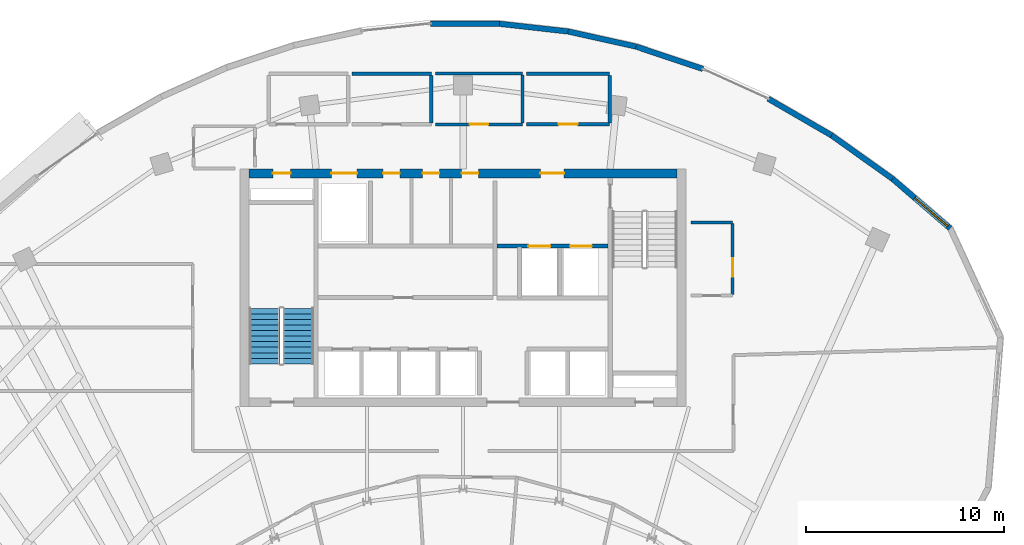
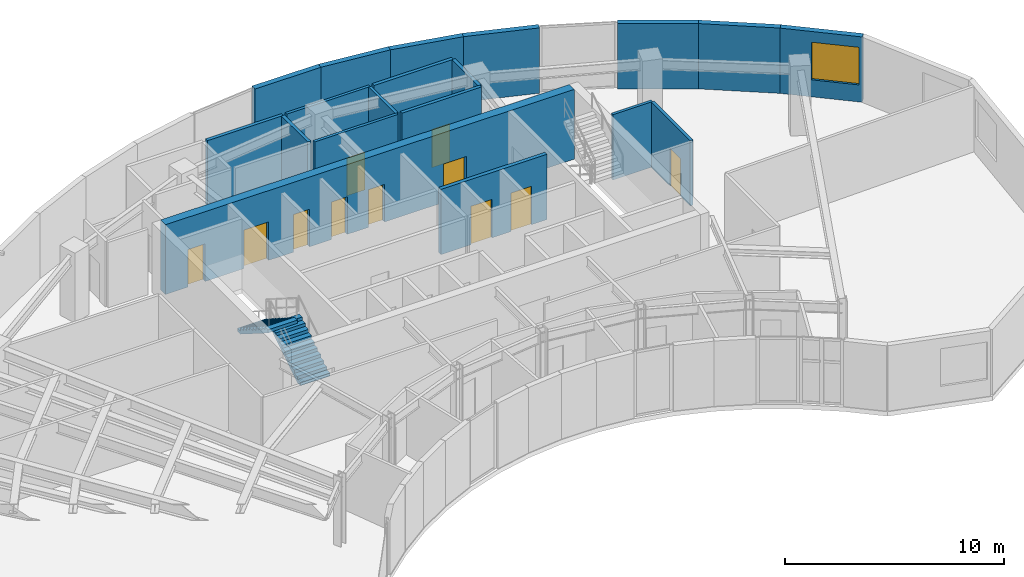
# One storey, part 10 of 12: 19 walls, 11 doors, 2 stair flights, 1 window, 12 openings, 1 element without a shape of its own.
"""IFC4 building model written with IfcOpenShell, lengths in metres."""

from ifc_helpers import new_model, si_unit, direction, frame, frame_2d, origin, place, context, subcontext, project, spatial, polyline, rectangle, outline, extrude, source, transform, mapped, material, layer, layer_set, type_object, type_shapes, element, fill, aggregate, save


model = new_model("IFC4")

# Units and contexts
model_context = context("Model", 3, precision=1e-05, world=origin(), true_north=direction((0.0, 1.0)))
body_context = subcontext(model_context, "Body", "Model", "MODEL_VIEW")
ifc_project = project(units=[si_unit("LENGTHUNIT", "METRE"), si_unit("AREAUNIT", "SQUARE_METRE"), si_unit("VOLUMEUNIT", "CUBIC_METRE"), si_unit("PLANEANGLEUNIT", "RADIAN"), si_unit("MASSUNIT", "GRAM", prefix="KILO")], contexts=[model_context])

# Site, building, storey
site_placement = place(None, origin())
site = spatial("IfcSite", under=ifc_project, at=site_placement, CompositionType="ELEMENT")
building_placement = place(site_placement, origin())
building = spatial("IfcBuilding", under=site, at=building_placement, Name="Breltana Convention Tower", CompositionType="ELEMENT")
storey_placement = place(building_placement, frame((0.0, 0.0, 243.0)))
storey = spatial("IfcBuildingStorey", under=building, at=storey_placement, Name="L59", CompositionType="ELEMENT", Elevation=243.0)

# Wall, openings, doors
ifc_material_1 = material(Name="Concrete C60/75", Category="concrete")
ifc_layer_1 = layer(ifc_material_1, 0.449951171875, Name="Concrete C60/75")
ifc_layer_set_1 = layer_set([ifc_layer_1], Name="Concrete C60/75")
wall_type_1 = type_object("IfcWallType", Name="SW-CORE-450", PredefinedType="SHEAR", material=ifc_layer_set_1)
shared_shape_1 = source(origin(), body_context, "Body", "SweptSolid", [
    extrude(rectangle(XDim=21.60009765625, YDim=0.449951171875, at=frame_2d((10.800048828125, 0.0))), origin(), (0.0, 0.0, 1.0), 3.89990234375),
])
wall_1_placement = place(storey_placement, frame((37.199951171875, 71.97509765625, 0.0), z_axis=(0.0, 0.0, 1.0), x_axis=(1.0, 0.0, 0.0)))
wall_1 = element("IfcWall", 1, at=wall_1_placement, inside=storey, type_object=wall_type_1, Name="L59 North Core Shear Wall", PredefinedType="SHEAR", context=body_context, shape_type="MappedRepresentation", body=[
    mapped(shared_shape_1, transform((0.0, 0.0, 0.0), scale=1.0)),
])
opening_1_placement = place(wall_1_placement, frame((1.199951171875, 0.0, 0.0)))
opening_1 = element("IfcOpeningElement", 2, at=opening_1_placement, cuts=wall_1, Name="Opening D-18", PredefinedType="OPENING", context=body_context, shape_type="SweptSolid", body=[
    extrude(rectangle(XDim=0.89990234375, YDim=2.10009765625, at=frame_2d((0.449951171875, 1.050048828125))), frame((0.0, 0.23486328125, 0.0), z_axis=(0.0, -1.0, 0.0), x_axis=(1.0, 0.0, 0.0)), (0.0, 0.0, 1.0), 0.469970703125),
])
opening_2_placement = place(wall_1_placement, frame((14.699951171875, 0.0, 0.0)))
opening_2 = element("IfcOpeningElement", 3, at=opening_2_placement, cuts=wall_1, Name="Opening D-09", PredefinedType="OPENING", context=body_context, shape_type="SweptSolid", body=[
    extrude(rectangle(XDim=1.199951171875, YDim=2.14990234375, at=frame_2d((0.60009765625, 1.074951171875))), frame((0.0, 0.23486328125, 0.0), z_axis=(0.0, -1.0, 0.0), x_axis=(1.0, 0.0, 0.0)), (0.0, 0.0, 1.0), 0.469970703125),
])
opening_3_placement = place(wall_1_placement, frame((4.14990234375, 0.0, 0.0)))
opening_3 = element("IfcOpeningElement", 4, at=opening_3_placement, cuts=wall_1, Name="Opening LD-01", PredefinedType="OPENING", context=body_context, shape_type="SweptSolid", body=[
    extrude(rectangle(XDim=1.300048828125, YDim=2.14990234375, at=frame_2d((0.64990234375, 1.074951171875))), frame((0.0, 0.23486328125, 0.0), z_axis=(0.0, -1.0, 0.0), x_axis=(1.0, 0.0, 0.0)), (0.0, 0.0, 1.0), 0.469970703125),
])
opening_4_placement = place(wall_1_placement, frame((6.760009765625, 0.0, 0.0)))
opening_4 = element("IfcOpeningElement", 5, at=opening_4_placement, cuts=wall_1, Name="Opening D-20", PredefinedType="OPENING", context=body_context, shape_type="SweptSolid", body=[
    extrude(rectangle(XDim=0.85009765625, YDim=2.10009765625, at=frame_2d((0.425048828125, 1.050048828125))), frame((0.0, 0.23486328125, 0.0), z_axis=(0.0, -1.0, 0.0), x_axis=(1.0, 0.0, 0.0)), (0.0, 0.0, 1.0), 0.469970703125),
])
opening_5_placement = place(wall_1_placement, frame((8.760009765625, 0.0, 0.0)))
opening_5 = element("IfcOpeningElement", 6, at=opening_5_placement, cuts=wall_1, Name="Opening D-20", PredefinedType="OPENING", context=body_context, shape_type="SweptSolid", body=[
    extrude(rectangle(XDim=0.85009765625, YDim=2.10009765625, at=frame_2d((0.425048828125, 1.050048828125))), frame((0.0, 0.23486328125, 0.0), z_axis=(0.0, -1.0, 0.0), x_axis=(1.0, 0.0, 0.0)), (0.0, 0.0, 1.0), 0.469970703125),
])
opening_6_placement = place(wall_1_placement, frame((10.72509765625, 0.0, 0.0)))
opening_6 = element("IfcOpeningElement", 7, at=opening_6_placement, cuts=wall_1, Name="Opening D-20", PredefinedType="OPENING", context=body_context, shape_type="SweptSolid", body=[
    extrude(rectangle(XDim=0.85009765625, YDim=2.10009765625, at=frame_2d((0.425048828125, 1.050048828125))), frame((0.0, 0.23486328125, 0.0), z_axis=(0.0, -1.0, 0.0), x_axis=(1.0, 0.0, 0.0)), (0.0, 0.0, 1.0), 0.469970703125),
])
ifc_material_2 = material(Name="Steel Riser Fire Door", Category="steel")
door_type_1 = type_object("IfcDoorType", Name="DR-FD60-900", OperationType="NOTDEFINED", PredefinedType="DOOR", material=ifc_material_2)
shared_shape_2 = source(origin(), body_context, "Body", "SweptSolid", [
    extrude(rectangle(XDim=0.89990234375, YDim=2.10009765625, at=frame_2d((0.449951171875, 1.050048828125))), frame((0.0, 0.02490234375, 0.0), z_axis=(0.0, -1.0, 0.0), x_axis=(1.0, 0.0, 0.0)), (0.0, 0.0, 1.0), 0.050048828125),
])
type_shapes(door_type_1, [shared_shape_2])
door_1_placement = place(opening_1_placement, origin())
door_1 = element("IfcDoor", 8, at=door_1_placement, inside=storey, type_object=door_type_1, Name="L59 Core Riser Access Door D-L59-RS1", OperationType="SINGLE_SWING_LEFT", OverallHeight=2.10009765625, OverallWidth=0.89990234375, PredefinedType="DOOR", context=body_context, shape_type="MappedRepresentation", body=[
    mapped(shared_shape_2, transform((0.0, 0.0, 0.0), scale=1.0)),
])
fill(opening_1, door_1)
ifc_material_3 = material(Name="Steel Fire Lobby Door", Category="steel")
door_type_2 = type_object("IfcDoorType", Name="DR-FD120-1200", OperationType="NOTDEFINED", PredefinedType="DOOR", material=ifc_material_3)
shared_shape_3 = source(origin(), body_context, "Body", "SweptSolid", [
    extrude(rectangle(XDim=1.199951171875, YDim=2.14990234375, at=frame_2d((0.60009765625, 1.074951171875))), frame((0.0, 0.02490234375, 0.0), z_axis=(0.0, -1.0, 0.0), x_axis=(1.0, 0.0, 0.0)), (0.0, 0.0, 1.0), 0.050048828125),
])
type_shapes(door_type_2, [shared_shape_3])
door_2_placement = place(opening_2_placement, origin())
door_2 = element("IfcDoor", 9, at=door_2_placement, inside=storey, type_object=door_type_2, Name="L59 interior door D-L59-FFL-N", OperationType="SINGLE_SWING_RIGHT", OverallHeight=2.14990234375, OverallWidth=1.199951171875, PredefinedType="DOOR", context=body_context, shape_type="MappedRepresentation", body=[
    mapped(shared_shape_3, transform((0.0, 0.0, 0.0), scale=1.0)),
])
fill(opening_2, door_2)
ifc_material_4 = material(Name="Stainless Steel Brushed", Category="steel")
door_type_3 = type_object("IfcDoorType", Name="DR-LD-SRV-1300", OperationType="DOUBLE_DOOR_SLIDING", PredefinedType="DOOR", material=ifc_material_4)
shared_shape_4 = source(origin(), body_context, "Body", "SweptSolid", [
    extrude(rectangle(XDim=1.300048828125, YDim=2.14990234375, at=frame_2d((0.64990234375, 1.074951171875))), frame((0.0, 0.02490234375, 0.0), z_axis=(0.0, -1.0, 0.0), x_axis=(1.0, 0.0, 0.0)), (0.0, 0.0, 1.0), 0.050048828125),
])
type_shapes(door_type_3, [shared_shape_4])
door_3_placement = place(opening_3_placement, origin())
door_3 = element("IfcDoor", 10, at=door_3_placement, inside=storey, type_object=door_type_3, Name="L59 Lift Landing Door D-L59-LD-SV1", OperationType="DOUBLE_DOOR_SLIDING", OverallHeight=2.14990234375, OverallWidth=1.300048828125, PredefinedType="DOOR", context=body_context, shape_type="MappedRepresentation", body=[
    mapped(shared_shape_4, transform((0.0, 0.0, 0.0), scale=1.0)),
])
fill(opening_3, door_3)
ifc_material_5 = material(Name="Steel Closet Fire Door", Category="steel")
door_type_4 = type_object("IfcDoorType", Name="DR-FD60-850", OperationType="NOTDEFINED", PredefinedType="DOOR", material=ifc_material_5)
shared_shape_5 = source(origin(), body_context, "Body", "SweptSolid", [
    extrude(rectangle(XDim=0.85009765625, YDim=2.10009765625, at=frame_2d((0.425048828125, 1.050048828125))), frame((0.0, 0.02490234375, 0.0), z_axis=(0.0, -1.0, 0.0), x_axis=(1.0, 0.0, 0.0)), (0.0, 0.0, 1.0), 0.050048828125),
])
type_shapes(door_type_4, [shared_shape_5])
door_4_placement = place(opening_4_placement, origin())
door_4 = element("IfcDoor", 11, at=door_4_placement, inside=storey, type_object=door_type_4, Name="L59 interior door D-L59-CRA1", OperationType="SINGLE_SWING_LEFT", OverallHeight=2.10009765625, OverallWidth=0.85009765625, PredefinedType="DOOR", context=body_context, shape_type="MappedRepresentation", body=[
    mapped(shared_shape_5, transform((0.0, 0.0, 0.0), scale=1.0)),
])
fill(opening_4, door_4)
door_5_placement = place(opening_5_placement, origin())
door_5 = element("IfcDoor", 12, at=door_5_placement, inside=storey, type_object=door_type_4, Name="L59 interior door D-L59-CRA2", OperationType="SINGLE_SWING_RIGHT", OverallHeight=2.10009765625, OverallWidth=0.85009765625, PredefinedType="DOOR", context=body_context, shape_type="MappedRepresentation", body=[
    mapped(shared_shape_5, transform((0.0, 0.0, 0.0), scale=1.0)),
])
fill(opening_5, door_5)
door_6_placement = place(opening_6_placement, origin())
door_6 = element("IfcDoor", 13, at=door_6_placement, inside=storey, type_object=door_type_4, Name="L59 interior door D-L59-CRA3", OperationType="SINGLE_SWING_LEFT", OverallHeight=2.10009765625, OverallWidth=0.85009765625, PredefinedType="DOOR", context=body_context, shape_type="MappedRepresentation", body=[
    mapped(shared_shape_5, transform((0.0, 0.0, 0.0), scale=1.0)),
])
fill(opening_6, door_6)

# Walls
ifc_material_6 = material(Name="Limestone Buff Insulated Wall", Category="masonry")
ifc_layer_2 = layer(ifc_material_6, 0.280029296875, Name="Limestone Buff Insulated Wall")
ifc_layer_set_2 = layer_set([ifc_layer_2], Name="Limestone Buff Insulated Wall")
wall_type_2 = type_object("IfcWallType", Name="WL-EXT-NOSE-280", PredefinedType="SOLIDWALL", material=ifc_layer_set_2)
shared_shape_6 = source(origin(), body_context, "Body", "SweptSolid", [
    extrude(rectangle(XDim=3.477294921875, YDim=0.280029296875, at=frame_2d((1.73876953125, 0.0))), origin(), (0.0, 0.0, 1.0), 3.64990234375),
])
wall_2_placement = place(storey_placement, frame((46.354736328125, 79.531494140625, 0.0), z_axis=(0.0, 0.0, 1.0), x_axis=(0.999995652268, -0.002948804142, 0.0)))
element("IfcWall", 14, at=wall_2_placement, inside=storey, type_object=wall_type_2, Name="L59 curved limestone nose wall E28", PredefinedType="SOLIDWALL", context=body_context, shape_type="MappedRepresentation", body=[
    mapped(shared_shape_6, transform((0.0, 0.0, 0.0), scale=1.0)),
])
shared_shape_7 = source(origin(), body_context, "Body", "SweptSolid", [
    extrude(rectangle(XDim=3.514892578125, YDim=0.280029296875, at=frame_2d((1.75732421875, 0.0))), origin(), (0.0, 0.0, 1.0), 3.64990234375),
])
wall_3_placement = place(storey_placement, frame((53.297607421875, 79.13330078125, 0.0), z_axis=(0.0, 0.0, 1.0), x_axis=(0.976144550296, -0.217121663884, 0.0)))
element("IfcWall", 15, at=wall_3_placement, inside=storey, type_object=wall_type_2, Name="L59 curved limestone nose wall E30", PredefinedType="SOLIDWALL", context=body_context, shape_type="MappedRepresentation", body=[
    mapped(shared_shape_7, transform((0.0, 0.0, 0.0), scale=1.0)),
])
shared_shape_8 = source(origin(), body_context, "Body", "SweptSolid", [
    extrude(rectangle(XDim=3.559326171875, YDim=0.280029296875, at=frame_2d((1.77978515625, 0.0))), origin(), (0.0, 0.0, 1.0), 3.64990234375),
])
wall_4_placement = place(storey_placement, frame((56.728759765625, 78.3701171875, 0.0), z_axis=(0.0, 0.0, 1.0), x_axis=(0.947933000453, -0.31846982063, 0.0)))
element("IfcWall", 16, at=wall_4_placement, inside=storey, type_object=wall_type_2, Name="L59 curved limestone nose wall E31", PredefinedType="SOLIDWALL", context=body_context, shape_type="MappedRepresentation", body=[
    mapped(shared_shape_8, transform((0.0, 0.0, 0.0), scale=1.0)),
])
shared_shape_9 = source(origin(), body_context, "Body", "SweptSolid", [
    extrude(rectangle(XDim=3.69189453125, YDim=0.280029296875, at=frame_2d((1.845947265625, 0.0))), origin(), (0.0, 0.0, 1.0), 3.64990234375),
])
wall_5_placement = place(storey_placement, frame((63.398193359375, 75.73974609375, 0.0), z_axis=(0.0, 0.0, 1.0), x_axis=(0.86534327136, -0.501179631181, 0.0)))
element("IfcWall", 17, at=wall_5_placement, inside=storey, type_object=wall_type_2, Name="L59 curved limestone nose wall E32", PredefinedType="SOLIDWALL", context=body_context, shape_type="MappedRepresentation", body=[
    mapped(shared_shape_9, transform((0.0, 0.0, 0.0), scale=1.0)),
])
shared_shape_10 = source(origin(), body_context, "Body", "SweptSolid", [
    extrude(rectangle(XDim=3.775146484375, YDim=0.280029296875, at=frame_2d((1.8876953125, 0.0))), origin(), (0.0, 0.0, 1.0), 3.64990234375),
])
wall_6_placement = place(storey_placement, frame((66.593017578125, 73.889404296875, 0.0), z_axis=(0.0, 0.0, 1.0), x_axis=(0.814135281578, -0.580675247699, 0.0)))
element("IfcWall", 18, at=wall_6_placement, inside=storey, type_object=wall_type_2, Name="L59 curved limestone nose wall E33", PredefinedType="SOLIDWALL", context=body_context, shape_type="MappedRepresentation", body=[
    mapped(shared_shape_10, transform((0.0, 0.0, 0.0), scale=1.0)),
])

# Wall, opening, window
shared_shape_11 = source(origin(), body_context, "Body", "SweptSolid", [
    extrude(rectangle(XDim=3.833984375, YDim=0.280029296875, at=frame_2d((1.9169921875, 0.0))), origin(), (0.0, 0.0, 1.0), 3.64990234375),
])
wall_7_placement = place(storey_placement, frame((69.66650390625, 71.697265625, 0.0), z_axis=(0.0, 0.0, 1.0), x_axis=(0.75839292431, -0.651797646787, 0.0)))
wall_7 = element("IfcWall", 19, at=wall_7_placement, inside=storey, type_object=wall_type_2, Name="L59 curved limestone nose wall E34", PredefinedType="SOLIDWALL", context=body_context, shape_type="MappedRepresentation", body=[
    mapped(shared_shape_11, transform((0.0, 0.0, 0.0), scale=1.0)),
])
opening_7_placement = place(wall_7_placement, frame((1.473876953125, 0.0, 0.949951171875)))
opening_7 = element("IfcOpeningElement", 20, at=opening_7_placement, cuts=wall_7, Name="Opening W-03", PredefinedType="OPENING", context=body_context, shape_type="SweptSolid", body=[
    extrude(rectangle(XDim=2.199951171875, YDim=2.10009765625, at=frame_2d((1.10009765625, 1.050048828125))), frame((0.0, 0.14990234375, 0.0), z_axis=(0.0, -1.0, 0.0), x_axis=(1.0, 0.0, 0.0)), (0.0, 0.0, 1.0), 0.300048828125),
])
ifc_material_7 = material(Name="Glass Low-E Insulated Window", Category="glass")
window_type = type_object("IfcWindowType", Name="WN-NOSE-2200X2100", PartitioningType="TRIPLE_PANEL_VERTICAL", PredefinedType="WINDOW", material=ifc_material_7)
shared_shape_12 = source(origin(), body_context, "Body", "SweptSolid", [
    extrude(rectangle(XDim=2.199951171875, YDim=2.10009765625, at=frame_2d((1.10009765625, 1.050048828125))), frame((0.0, 0.030029296875, 0.0), z_axis=(0.0, -1.0, 0.0), x_axis=(1.0, 0.0, 0.0)), (0.0, 0.0, 1.0), 0.06005859375),
])
type_shapes(window_type, [shared_shape_12])
window_placement = place(opening_7_placement, origin())
window = element("IfcWindow", 21, at=window_placement, inside=storey, type_object=window_type, Name="L59 nose window E34", OverallHeight=2.10009765625, OverallWidth=2.199951171875, PartitioningType="TRIPLE_PANEL_VERTICAL", PredefinedType="WINDOW", context=body_context, shape_type="MappedRepresentation", body=[
    mapped(shared_shape_12, transform((0.0, 0.0, 0.0), scale=1.0)),
])
fill(opening_7, window)

# Wall
shared_shape_13 = source(origin(), body_context, "Body", "SweptSolid", [
    extrude(rectangle(XDim=3.4873046875, YDim=0.280029296875, at=frame_2d((1.74365234375, 0.0))), origin(), (0.0, 0.0, 1.0), 3.64990234375),
])
wall_8_placement = place(storey_placement, frame((49.83203125, 79.521240234375, 0.0), z_axis=(0.0, 0.0, 1.0), x_axis=(0.993792900103, -0.111245996355, 0.0)))
element("IfcWall", 22, at=wall_8_placement, inside=storey, type_object=wall_type_2, Name="L59 curved limestone nose wall E29", PredefinedType="SOLIDWALL", context=body_context, shape_type="MappedRepresentation", body=[
    mapped(shared_shape_13, transform((0.0, 0.0, 0.0), scale=1.0)),
])

# Wall, openings, doors
ifc_material_8 = material(Name="Autoclaved Aerated Concrete Block", Category="concrete")
ifc_layer_3 = layer(ifc_material_8, 0.199951171875, Name="Autoclaved Aerated Concrete Block")
ifc_layer_set_3 = layer_set([ifc_layer_3], Name="Autoclaved Aerated Concrete Block")
wall_type_3 = type_object("IfcWallType", Name="WL-SHAFT-200", PredefinedType="SOLIDWALL", material=ifc_layer_set_3)
shared_shape_14 = source(origin(), body_context, "Body", "SweptSolid", [
    extrude(rectangle(XDim=5.6201171875, YDim=0.199951171875, at=frame_2d((2.81005859375, 0.0))), origin(), (0.0, 0.0, 1.0), 3.64990234375),
])
wall_9_placement = place(storey_placement, frame((49.699951171875, 68.300048828125, 0.0), z_axis=(0.0, 0.0, 1.0), x_axis=(1.0, 0.0, 0.0)))
wall_9 = element("IfcWall", 23, at=wall_9_placement, inside=storey, type_object=wall_type_3, Name="L59 interior partition W-L59-FFL-S", PredefinedType="SOLIDWALL", context=body_context, shape_type="MappedRepresentation", body=[
    mapped(shared_shape_14, transform((0.0, 0.0, 0.0), scale=1.0)),
])
opening_8_placement = place(wall_9_placement, frame((1.60009765625, 0.0, 0.0)))
opening_8 = element("IfcOpeningElement", 24, at=opening_8_placement, cuts=wall_9, Name="Opening LD-03", PredefinedType="OPENING", context=body_context, shape_type="SweptSolid", body=[
    extrude(rectangle(XDim=1.10009765625, YDim=2.14990234375, at=frame_2d((0.550048828125, 1.074951171875))), frame((0.0, 0.10986328125, 0.0), z_axis=(0.0, -1.0, 0.0), x_axis=(1.0, 0.0, 0.0)), (0.0, 0.0, 1.0), 0.219970703125),
])
opening_9_placement = place(wall_9_placement, frame((3.699951171875, 0.0, 0.0)))
opening_9 = element("IfcOpeningElement", 25, at=opening_9_placement, cuts=wall_9, Name="Opening LD-03", PredefinedType="OPENING", context=body_context, shape_type="SweptSolid", body=[
    extrude(rectangle(XDim=1.10009765625, YDim=2.14990234375, at=frame_2d((0.550048828125, 1.074951171875))), frame((0.0, 0.10986328125, 0.0), z_axis=(0.0, -1.0, 0.0), x_axis=(1.0, 0.0, 0.0)), (0.0, 0.0, 1.0), 0.219970703125),
])
door_type_5 = type_object("IfcDoorType", Name="DR-LD-FF-1100", OperationType="DOUBLE_DOOR_SLIDING", PredefinedType="DOOR", material=ifc_material_4)
shared_shape_15 = source(origin(), body_context, "Body", "SweptSolid", [
    extrude(rectangle(XDim=1.10009765625, YDim=2.14990234375, at=frame_2d((0.550048828125, 1.074951171875))), frame((0.0, 0.02490234375, 0.0), z_axis=(0.0, -1.0, 0.0), x_axis=(1.0, 0.0, 0.0)), (0.0, 0.0, 1.0), 0.050048828125),
])
type_shapes(door_type_5, [shared_shape_15])
door_7_placement = place(opening_8_placement, origin())
door_7 = element("IfcDoor", 26, at=door_7_placement, inside=storey, type_object=door_type_5, Name="L59 Lift Landing Door D-L59-LD-FL1", OperationType="DOUBLE_DOOR_SLIDING", OverallHeight=2.14990234375, OverallWidth=1.10009765625, PredefinedType="DOOR", context=body_context, shape_type="MappedRepresentation", body=[
    mapped(shared_shape_15, transform((0.0, 0.0, 0.0), scale=1.0)),
])
fill(opening_8, door_7)
door_8_placement = place(opening_9_placement, origin())
door_8 = element("IfcDoor", 27, at=door_8_placement, inside=storey, type_object=door_type_5, Name="L59 Lift Landing Door D-L59-LD-FL2", OperationType="DOUBLE_DOOR_SLIDING", OverallHeight=2.14990234375, OverallWidth=1.10009765625, PredefinedType="DOOR", context=body_context, shape_type="MappedRepresentation", body=[
    mapped(shared_shape_15, transform((0.0, 0.0, 0.0), scale=1.0)),
])
fill(opening_9, door_8)

# Wall
ifc_material_9 = material(Name="Gypsum Acoustic Drywall Partition")
ifc_layer_4 = layer(ifc_material_9, 0.14990234375, Name="Gypsum Acoustic Drywall Partition")
ifc_layer_set_4 = layer_set([ifc_layer_4], Name="Gypsum Acoustic Drywall Partition")
wall_type_4 = type_object("IfcWallType", Name="WL-PART-150", PredefinedType="PARTITIONING", material=ifc_layer_set_4)
shared_shape_16 = source(origin(), body_context, "Body", "SweptSolid", [
    extrude(rectangle(XDim=2.10009765625, YDim=0.14990234375, at=frame_2d((1.050048828125, 0.0))), origin(), (0.0, 0.0, 1.0), 3.64990234375),
])
wall_10_placement = place(storey_placement, frame((59.5, 69.5, 0.0), z_axis=(0.0, 0.0, 1.0), x_axis=(1.0, 0.0, 0.0)))
element("IfcWall", 28, at=wall_10_placement, inside=storey, type_object=wall_type_4, Name="L59 interior partition W-L59-CRSE-N", PredefinedType="PARTITIONING", context=body_context, shape_type="MappedRepresentation", body=[
    mapped(shared_shape_16, transform((0.0, 0.0, 0.0), scale=1.0)),
])

# Wall, opening, door
shared_shape_17 = source(origin(), body_context, "Body", "SweptSolid", [
    extrude(rectangle(XDim=3.565185546875, YDim=0.14990234375, at=frame_2d((1.78271484375, 0.0))), origin(), (0.0, 0.0, 1.0), 3.64990234375),
])
wall_11_placement = place(storey_placement, frame((61.60009765625, 65.867431640625, 0.0), z_axis=(0.0, 0.0, 1.0), x_axis=(0.0, 1.0, 0.0)))
wall_11 = element("IfcWall", 29, at=wall_11_placement, inside=storey, type_object=wall_type_4, Name="L59 interior partition W-L59-CRSE-E", PredefinedType="PARTITIONING", context=body_context, shape_type="MappedRepresentation", body=[
    mapped(shared_shape_17, transform((0.0, 0.0, 0.0), scale=1.0)),
])
opening_10_placement = place(wall_11_placement, frame((0.879638671875, 0.0, 0.0)))
opening_10 = element("IfcOpeningElement", 30, at=opening_10_placement, cuts=wall_11, Name="Opening D-17", PredefinedType="OPENING", context=body_context, shape_type="SweptSolid", body=[
    extrude(rectangle(XDim=0.949951171875, YDim=2.10009765625, at=frame_2d((0.47509765625, 1.050048828125))), frame((0.0, 0.0849609375, 0.0), z_axis=(0.0, -1.0, 0.0), x_axis=(1.0, 0.0, 0.0)), (0.0, 0.0, 1.0), 0.169921875),
])
ifc_material_10 = material(Name="Timber Oak Veneer Door", Category="wood")
door_type_6 = type_object("IfcDoorType", Name="DR-INT-950", OperationType="NOTDEFINED", PredefinedType="DOOR", material=ifc_material_10)
shared_shape_18 = source(origin(), body_context, "Body", "SweptSolid", [
    extrude(rectangle(XDim=0.949951171875, YDim=2.10009765625, at=frame_2d((0.47509765625, 1.050048828125))), frame((0.0, 0.02490234375, 0.0), z_axis=(0.0, -1.0, 0.0), x_axis=(1.0, 0.0, 0.0)), (0.0, 0.0, 1.0), 0.050048828125),
])
type_shapes(door_type_6, [shared_shape_18])
door_9_placement = place(opening_10_placement, origin())
door_9 = element("IfcDoor", 31, at=door_9_placement, inside=storey, type_object=door_type_6, Name="L59 interior door D-L59-EXE2", OperationType="SINGLE_SWING_LEFT", OverallHeight=2.10009765625, OverallWidth=0.949951171875, PredefinedType="DOOR", context=body_context, shape_type="MappedRepresentation", body=[
    mapped(shared_shape_18, transform((0.0, 0.0, 0.0), scale=1.0)),
])
fill(opening_10, door_9)

# Walls
ifc_material_11 = material(Name="Moisture-Resistant Gypsum Chase Wall")
ifc_layer_5 = layer(ifc_material_11, 0.179931640625, Name="Moisture-Resistant Gypsum Chase Wall")
ifc_layer_set_5 = layer_set([ifc_layer_5], Name="Moisture-Resistant Gypsum Chase Wall")
wall_type_5 = type_object("IfcWallType", Name="WL-PLUMB-180", PredefinedType="PLUMBINGWALL", material=ifc_layer_set_5)
shared_shape_19 = source(origin(), body_context, "Body", "SweptSolid", [
    extrude(rectangle(XDim=4.0, YDim=0.179931640625, at=frame_2d((2.0, 0.0))), origin(), (0.0, 0.0, 1.0), 3.64990234375),
])
wall_12_placement = place(storey_placement, frame((42.39990234375, 77.0, 0.0), z_axis=(0.0, 0.0, 1.0), x_axis=(1.0, 0.0, 0.0)))
element("IfcWall", 32, at=wall_12_placement, inside=storey, type_object=wall_type_5, Name="L59 interior partition W-L59-WCF-N", PredefinedType="PLUMBINGWALL", context=body_context, shape_type="MappedRepresentation", body=[
    mapped(shared_shape_19, transform((0.0, 0.0, 0.0), scale=1.0)),
])
ifc_material_12 = material(Name="Cement Board Wet-Area Partition")
ifc_layer_6 = layer(ifc_material_12, 0.175048828125, Name="Cement Board Wet-Area Partition")
ifc_layer_set_6 = layer_set([ifc_layer_6], Name="Cement Board Wet-Area Partition")
wall_type_6 = type_object("IfcWallType", Name="WL-WET-175", PredefinedType="PARTITIONING", material=ifc_layer_set_6)
shared_shape_20 = source(origin(), body_context, "Body", "SweptSolid", [
    extrude(rectangle(XDim=2.402587890625, YDim=0.175048828125, at=frame_2d((1.201171875, 0.0))), origin(), (0.0, 0.0, 1.0), 3.64990234375),
])
for number, where, z_axis, x_axis, name in (
    (33, (46.39990234375, 74.518798828125, 0.0), (0.0, 0.0, 1.0), (0.0, 1.0, 0.0), "L59 interior partition W-L59-WCF-E"),
    (34, (55.39990234375, 74.518798828125, 0.0), (0.0, 0.0, 1.0), (0.0, 1.0, 0.0), "L59 interior partition W-L59-WCA-E"),
):
    element("IfcWall", number, at=place(storey_placement, frame(where, z_axis=z_axis, x_axis=x_axis)), inside=storey, type_object=wall_type_6, Name=name, PredefinedType="PARTITIONING", context=body_context, shape_type="MappedRepresentation", body=[
        mapped(shared_shape_20, transform((0.0, 0.0, 0.0), scale=1.0)),
    ])

# Wall, opening, door
shared_shape_21 = source(origin(), body_context, "Body", "SweptSolid", [
    extrude(rectangle(XDim=4.39990234375, YDim=0.14990234375, at=frame_2d((2.199951171875, 0.0))), origin(), (0.0, 0.0, 1.0), 3.64990234375),
])
wall_13_placement = place(storey_placement, frame((46.60009765625, 74.43994140625, 0.0), z_axis=(0.0, 0.0, 1.0), x_axis=(1.0, 0.0, 0.0)))
wall_13 = element("IfcWall", 35, at=wall_13_placement, inside=storey, type_object=wall_type_4, Name="L59 interior partition W-L59-PNT-S", PredefinedType="PARTITIONING", context=body_context, shape_type="MappedRepresentation", body=[
    mapped(shared_shape_21, transform((0.0, 0.0, 0.0), scale=1.0)),
])
opening_11_placement = place(wall_13_placement, frame((1.72509765625, 0.0, 0.0)))
opening_11 = element("IfcOpeningElement", 36, at=opening_11_placement, cuts=wall_13, Name="Opening D-17", PredefinedType="OPENING", context=body_context, shape_type="SweptSolid", body=[
    extrude(rectangle(XDim=0.949951171875, YDim=2.10009765625, at=frame_2d((0.47509765625, 1.050048828125))), frame((0.0, 0.0849609375, 0.0), z_axis=(0.0, -1.0, 0.0), x_axis=(1.0, 0.0, 0.0)), (0.0, 0.0, 1.0), 0.169921875),
])
door_10_placement = place(opening_11_placement, origin())
door_10 = element("IfcDoor", 37, at=door_10_placement, inside=storey, type_object=door_type_6, Name="L59 interior door D-L59-PNT", OperationType="SINGLE_SWING_LEFT", OverallHeight=2.10009765625, OverallWidth=0.949951171875, PredefinedType="DOOR", context=body_context, shape_type="MappedRepresentation", body=[
    mapped(shared_shape_18, transform((0.0, 0.0, 0.0), scale=1.0)),
])
fill(opening_11, door_10)

# Walls
wall_14_placement = place(storey_placement, frame((46.60009765625, 77.0, 0.0), z_axis=(0.0, 0.0, 1.0), x_axis=(1.0, 0.0, 0.0)))
element("IfcWall", 38, at=wall_14_placement, inside=storey, type_object=wall_type_4, Name="L59 interior partition W-L59-PNT-N", PredefinedType="PARTITIONING", context=body_context, shape_type="MappedRepresentation", body=[
    mapped(shared_shape_21, transform((0.0, 0.0, 0.0), scale=1.0)),
])
shared_shape_22 = source(origin(), body_context, "Body", "SweptSolid", [
    extrude(rectangle(XDim=2.425048828125, YDim=0.14990234375, at=frame_2d((1.21240234375, 0.0))), origin(), (0.0, 0.0, 1.0), 3.64990234375),
])
wall_15_placement = place(storey_placement, frame((51.0, 74.507568359375, 0.0), z_axis=(0.0, 0.0, 1.0), x_axis=(0.0, 1.0, 0.0)))
element("IfcWall", 39, at=wall_15_placement, inside=storey, type_object=wall_type_4, Name="L59 interior partition W-L59-PNT-E", PredefinedType="PARTITIONING", context=body_context, shape_type="MappedRepresentation", body=[
    mapped(shared_shape_22, transform((0.0, 0.0, 0.0), scale=1.0)),
])

# Wall, opening, door
shared_shape_23 = source(origin(), body_context, "Body", "SweptSolid", [
    extrude(rectangle(XDim=4.199951171875, YDim=0.175048828125, at=frame_2d((2.10009765625, 0.0))), origin(), (0.0, 0.0, 1.0), 3.64990234375),
])
wall_16_placement = place(storey_placement, frame((51.199951171875, 74.43994140625, 0.0), z_axis=(0.0, 0.0, 1.0), x_axis=(1.0, 0.0, 0.0)))
wall_16 = element("IfcWall", 40, at=wall_16_placement, inside=storey, type_object=wall_type_6, Name="L59 interior partition W-L59-WCA-S", PredefinedType="PARTITIONING", context=body_context, shape_type="MappedRepresentation", body=[
    mapped(shared_shape_23, transform((0.0, 0.0, 0.0), scale=1.0)),
])
opening_12_placement = place(wall_16_placement, frame((1.625, 0.0, 0.0)))
opening_12 = element("IfcOpeningElement", 41, at=opening_12_placement, cuts=wall_16, Name="Opening D-16", PredefinedType="OPENING", context=body_context, shape_type="SweptSolid", body=[
    extrude(rectangle(XDim=0.949951171875, YDim=2.1201171875, at=frame_2d((0.47509765625, 1.06005859375))), frame((0.0, 0.09765625, 0.0), z_axis=(0.0, -1.0, 0.0), x_axis=(1.0, 0.0, 0.0)), (0.0, 0.0, 1.0), 0.195068359375),
])
ifc_material_13 = material(Name="Timber Laminate Accessible Door", Category="wood")
door_type_7 = type_object("IfcDoorType", Name="DR-ACC-950", OperationType="NOTDEFINED", PredefinedType="DOOR", material=ifc_material_13)
shared_shape_24 = source(origin(), body_context, "Body", "SweptSolid", [
    extrude(rectangle(XDim=0.949951171875, YDim=2.1201171875, at=frame_2d((0.47509765625, 1.06005859375))), frame((0.0, 0.02490234375, 0.0), z_axis=(0.0, -1.0, 0.0), x_axis=(1.0, 0.0, 0.0)), (0.0, 0.0, 1.0), 0.050048828125),
])
type_shapes(door_type_7, [shared_shape_24])
door_11_placement = place(opening_12_placement, origin())
door_11 = element("IfcDoor", 42, at=door_11_placement, inside=storey, type_object=door_type_7, Name="L59 interior door D-L59-WCA", OperationType="SINGLE_SWING_RIGHT", OverallHeight=2.1201171875, OverallWidth=0.949951171875, PredefinedType="DOOR", context=body_context, shape_type="MappedRepresentation", body=[
    mapped(shared_shape_24, transform((0.0, 0.0, 0.0), scale=1.0)),
])
fill(opening_12, door_11)

# Wall
shared_shape_25 = source(origin(), body_context, "Body", "SweptSolid", [
    extrude(rectangle(XDim=4.199951171875, YDim=0.179931640625, at=frame_2d((2.10009765625, 0.0))), origin(), (0.0, 0.0, 1.0), 3.64990234375),
])
wall_17_placement = place(storey_placement, frame((51.199951171875, 77.0, 0.0), z_axis=(0.0, 0.0, 1.0), x_axis=(1.0, 0.0, 0.0)))
element("IfcWall", 43, at=wall_17_placement, inside=storey, type_object=wall_type_5, Name="L59 interior partition W-L59-WCA-N", PredefinedType="PLUMBINGWALL", context=body_context, shape_type="MappedRepresentation", body=[
    mapped(shared_shape_25, transform((0.0, 0.0, 0.0), scale=1.0)),
])

# Stair, stair flights
ifc_material_14 = material(Name="Concrete C40/50", Category="concrete")
stair_type = type_object("IfcStairType", Name="ST-DOG-1560-R177", PredefinedType="HALF_TURN_STAIR", material=ifc_material_14)
stair_placement = place(storey_placement, origin())
stair = element("IfcStair", 44, at=stair_placement, inside=storey, type_object=stair_type, Name="L59 Protected Core Exit Stair ST-1", PredefinedType="HALF_TURN_STAIR")
stair_flight_type = type_object("IfcStairFlightType", Name="STF-DOG-1560-N11-R177", PredefinedType="STRAIGHT", material=ifc_material_14)
stair_flight_1_placement = place(storey_placement, frame((39.68994140625, 62.360107421875, 0.0), z_axis=(0.0, 0.0, 1.0), x_axis=(0.0, 1.0, 0.0)))
stair_flight_1 = element("IfcStairFlight", 45, at=stair_flight_1_placement, type_object=stair_flight_type, Name="ST-1 flight 1", NumberOfRisers=11, NumberOfTreads=10, PredefinedType="STRAIGHT", RiserHeight=0.177272727, TreadLength=0.28, context=body_context, shape_type="SweptSolid", body=[
    extrude(outline(polyline([(0.0, 0.0), (0.0, 0.17724609375), (0.280029296875, 0.17724609375), (0.280029296875, 0.3544921875), (0.56005859375, 0.3544921875), (0.56005859375, 0.53173828125), (0.840087890625, 0.53173828125), (0.840087890625, 0.708984375), (1.1201171875, 0.708984375), (1.1201171875, 0.886474609375), (1.39990234375, 0.886474609375), (1.39990234375, 1.063720703125), (1.679931640625, 1.063720703125), (1.679931640625, 1.240966796875), (1.9599609375, 1.240966796875), (1.9599609375, 1.418212890625), (2.239990234375, 1.418212890625), (2.239990234375, 1.595458984375), (2.52001953125, 1.595458984375), (2.52001953125, 1.772705078125), (2.800048828125, 1.772705078125), (2.800048828125, 1.949951171875), (2.800048828125, 1.59521484375), (0.2802734375, 0.0), (0.0, 0.0)])), frame((0.0, 0.780029296875, 0.0), z_axis=(0.0, -1.0, 0.0), x_axis=(1.0, 0.0, 0.0)), (0.0, 0.0, 1.0), 1.56005859375),
])
stair_flight_2_placement = place(storey_placement, frame((37.97998046875, 65.159912109375, 1.949951171875), z_axis=(0.0, 0.0, 1.0), x_axis=(0.0, -1.0, 0.0)))
stair_flight_2 = element("IfcStairFlight", 46, at=stair_flight_2_placement, type_object=stair_flight_type, Name="ST-1 flight 2", NumberOfRisers=11, NumberOfTreads=10, PredefinedType="STRAIGHT", RiserHeight=0.177272727, TreadLength=0.28, context=body_context, shape_type="SweptSolid", body=[
    extrude(outline(polyline([(0.0, 0.0), (0.0, 0.17724609375), (0.280029296875, 0.17724609375), (0.280029296875, 0.3544921875), (0.56005859375, 0.3544921875), (0.56005859375, 0.53173828125), (0.840087890625, 0.53173828125), (0.840087890625, 0.708984375), (1.1201171875, 0.708984375), (1.1201171875, 0.886474609375), (1.39990234375, 0.886474609375), (1.39990234375, 1.063720703125), (1.679931640625, 1.063720703125), (1.679931640625, 1.240966796875), (1.9599609375, 1.240966796875), (1.9599609375, 1.418212890625), (2.239990234375, 1.418212890625), (2.239990234375, 1.595458984375), (2.52001953125, 1.595458984375), (2.52001953125, 1.772705078125), (2.800048828125, 1.772705078125), (2.800048828125, 1.949951171875), (2.800048828125, 1.59521484375), (0.2802734375, 0.0), (0.0, 0.0)])), frame((0.0, 0.780029296875, 0.0), z_axis=(0.0, -1.0, 0.0), x_axis=(1.0, 0.0, 0.0)), (0.0, 0.0, 1.0), 1.56005859375),
])
aggregate(stair, [stair_flight_1, stair_flight_2])

save(model, "model.ifc")
